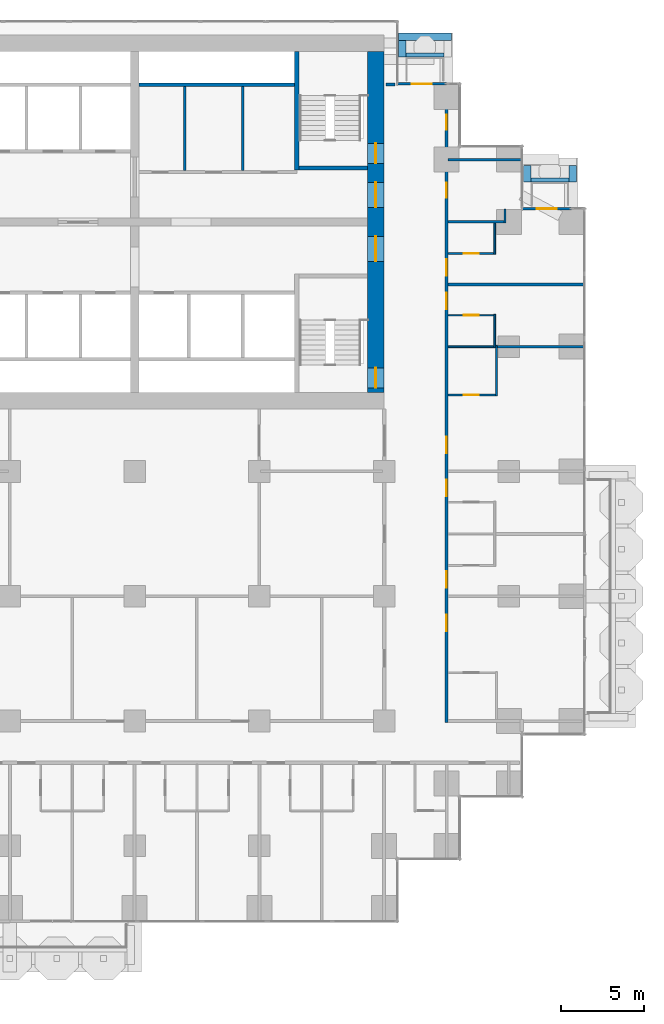
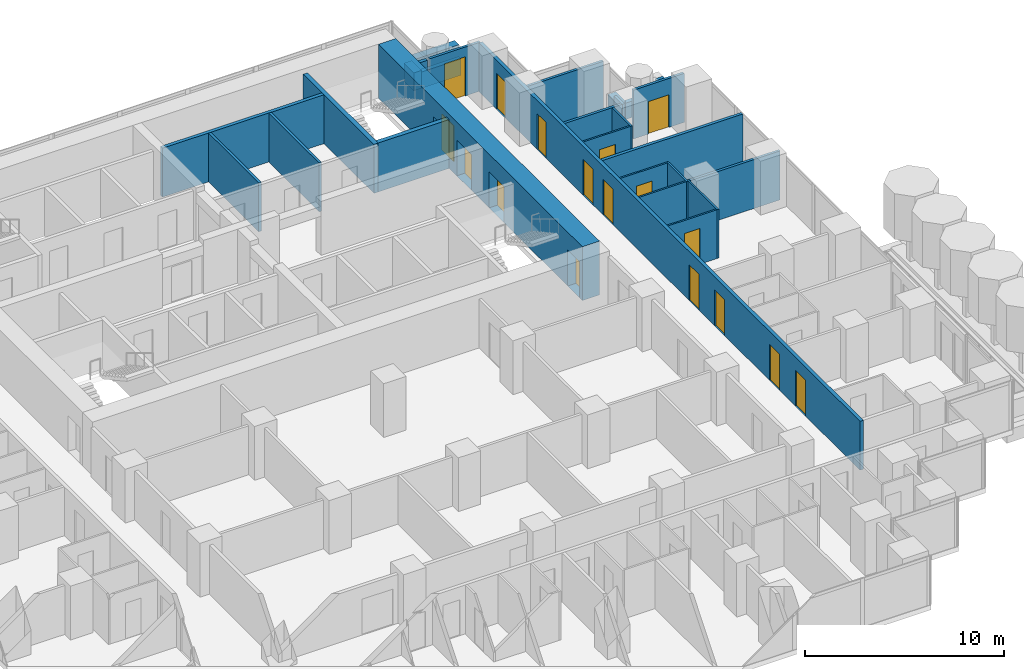
# One storey, part 15 of 19: 28 walls, 17 doors, 17 openings.
"""IFC4 building model written with IfcOpenShell, lengths in metres."""

from ifc_helpers import new_model, si_unit, direction, frame, frame_2d, origin, place, context, subcontext, project, spatial, rectangle, extrude, material, layer, layer_set, type_object, element, fill, save


model = new_model("IFC4")

# Units and contexts
model_context = context("Model", 3, precision=1e-05, world=origin(), true_north=direction((0.0, 1.0)))
body_context = subcontext(model_context, "Body", "Model", "MODEL_VIEW")
ifc_project = project(units=[si_unit("LENGTHUNIT", "METRE"), si_unit("AREAUNIT", "SQUARE_METRE"), si_unit("VOLUMEUNIT", "CUBIC_METRE"), si_unit("PLANEANGLEUNIT", "RADIAN"), si_unit("MASSUNIT", "GRAM", prefix="KILO")], contexts=[model_context])

# Site, building, storey
site_placement = place(None, origin())
site = spatial("IfcSite", under=ifc_project, at=site_placement, CompositionType="ELEMENT")
building_placement = place(site_placement, origin())
building = spatial("IfcBuilding", under=site, at=building_placement, Name="Pilkhan Gate Tower", CompositionType="ELEMENT")
storey_placement = place(building_placement, frame((0.0, 0.0, 69.199951171875)))
storey = spatial("IfcBuildingStorey", under=building, at=storey_placement, Name="L15", CompositionType="ELEMENT", Elevation=69.199951171875)

# Walls
ifc_material_1 = material(Name="Dense blockwork", Category="masonry")
ifc_layer_1 = layer(ifc_material_1, 0.175048828125)
ifc_layer_set_1 = layer_set([ifc_layer_1], Name="Acoustic party wall PW175")
wall_type_1 = type_object("IfcWallType", Name="Acoustic party wall PW175", PredefinedType="PARTITIONING", material=ifc_layer_set_1)
wall_1_placement = place(storey_placement, frame((93.85009765625, 78.75, 0.0), z_axis=(0.0, 0.0, 1.0), x_axis=(1.0, 0.0, 0.0)))
element("IfcWall", 1, at=wall_1_placement, inside=storey, type_object=wall_type_1, Name="Partition L15", PredefinedType="PARTITIONING", context=body_context, shape_type="SweptSolid", body=[
    extrude(rectangle(XDim=8.164794921875, YDim=0.175048828125, at=frame_2d((4.08251953125, 0.0))), origin(), (0.0, 0.0, 1.0), 3.0),
])
ifc_material_2 = material(Name="Concrete C40/50", Category="concrete")
ifc_layer_2 = layer(ifc_material_2, 0.25)
ifc_layer_set_2 = layer_set([ifc_layer_2], Name="Balcony planter BP250")
wall_type_2 = type_object("IfcWallType", Name="Balcony planter BP250", PredefinedType="USERDEFINED", material=ifc_layer_set_2)
wall_2_placement = place(storey_placement, frame((91.300048828125, 92.52490234375, 0.0), z_axis=(0.0, 0.0, 1.0), x_axis=(1.0, 0.0, 0.0)))
element("IfcWall", 2, at=wall_2_placement, inside=storey, type_object=wall_type_2, Name="Balcony planter L15 N", ObjectType="BALCONY PLANTER", PredefinedType="USERDEFINED", context=body_context, shape_type="SweptSolid", body=[
    extrude(rectangle(XDim=2.300048828125, YDim=0.25, at=frame_2d((1.14990234375, 0.0))), origin(), (0.0, 0.0, 1.0), 1.0),
])
wall_3_placement = place(storey_placement, frame((98.820068359375, 85.02490234375, 0.0), z_axis=(0.0, 0.0, 1.0), x_axis=(1.0, 0.0, 0.0)))
element("IfcWall", 3, at=wall_3_placement, inside=storey, type_object=wall_type_2, Name="Balcony planter L15 N", ObjectType="BALCONY PLANTER", PredefinedType="USERDEFINED", context=body_context, shape_type="SweptSolid", body=[
    extrude(rectangle(XDim=2.280029296875, YDim=0.25, at=frame_2d((1.14013671875, 0.0))), origin(), (0.0, 0.0, 1.0), 1.0),
])
ifc_material_3 = material(Name="Board-marked Concrete C40/50", Category="concrete")
ifc_layer_3 = layer(ifc_material_3, 0.449951171875)
ifc_layer_set_3 = layer_set([ifc_layer_3], Name="Balcony planter lip BL450")
wall_type_3 = type_object("IfcWallType", Name="Balcony planter lip BL450", PredefinedType="USERDEFINED", material=ifc_layer_set_3)
wall_4_placement = place(storey_placement, frame((90.85009765625, 93.625, 0.0), z_axis=(0.0, 0.0, 1.0), x_axis=(1.0, 0.0, 0.0)))
element("IfcWall", 4, at=wall_4_placement, inside=storey, type_object=wall_type_3, Name="Balcony planter L15 N", ObjectType="BALCONY PLANTER", PredefinedType="USERDEFINED", context=body_context, shape_type="SweptSolid", body=[
    extrude(rectangle(XDim=3.199951171875, YDim=0.449951171875, at=frame_2d((1.60009765625, 0.0))), origin(), (0.0, 0.0, 1.0), 1.10009765625),
])
for number, where, z_axis, x_axis, name in (
    (5, (91.074951171875, 92.39990234375, 0.0), (0.0, 0.0, 1.0), (0.0, 1.0, 0.0), "Balcony planter L15 N"),
    (6, (98.594970703125, 84.89990234375, 0.0), (0.0, 0.0, 1.0), (0.0, 1.0, 0.0), "Balcony planter L15 N"),
    (7, (101.324951171875, 84.89990234375, 0.0), (0.0, 0.0, 1.0), (0.0, 1.0, 0.0), "Balcony planter L15 N"),
):
    element("IfcWall", number, at=place(storey_placement, frame(where, z_axis=z_axis, x_axis=x_axis)), inside=storey, type_object=wall_type_3, Name=name, ObjectType="BALCONY PLANTER", PredefinedType="USERDEFINED", context=body_context, shape_type="SweptSolid", body=[
        extrude(rectangle(XDim=1.0, YDim=0.449951171875, at=frame_2d((0.5, 0.0))), origin(), (0.0, 0.0, 1.0), 1.10009765625),
    ])

# Wall, openings, doors
ifc_material_4 = material(Name="Concrete C70/85", Category="concrete")
ifc_layer_4 = layer(ifc_material_4, 1.0)
ifc_layer_set_4 = layer_set([ifc_layer_4], Name="Core wall CW1000 C70/85")
wall_type_4 = type_object("IfcWallType", Name="Core wall CW1000 C70/85", PredefinedType="SHEAR", material=ifc_layer_set_4)
wall_5_placement = place(storey_placement, frame((89.5, 72.25, 0.0), z_axis=(0.0, 0.0, 1.0), x_axis=(0.0, 1.0, 0.0)))
wall_5 = element("IfcWall", 8, at=wall_5_placement, inside=storey, type_object=wall_type_4, Name="Core wall E L15", PredefinedType="SHEAR", context=body_context, shape_type="SweptSolid", body=[
    extrude(rectangle(XDim=20.5, YDim=1.0, at=frame_2d((10.25, 0.0))), origin(), (0.0, 0.0, 1.0), 3.300048828125),
])
opening_1_placement = place(wall_5_placement, frame((0.27490234375, 0.0, 0.0)))
opening_1 = element("IfcOpeningElement", 9, at=opening_1_placement, cuts=wall_5, Name="Opening L15-03", PredefinedType="OPENING", context=body_context, shape_type="SweptSolid", body=[
    extrude(rectangle(XDim=1.199951171875, YDim=2.199951171875, at=frame_2d((0.60009765625, 1.10009765625))), frame((0.0, 0.510009765625, 0.0), z_axis=(0.0, -1.0, 0.0), x_axis=(1.0, 0.0, 0.0)), (0.0, 0.0, 1.0), 1.02001953125),
])
opening_2_placement = place(wall_5_placement, frame((13.77490234375, 0.0, 0.0)))
opening_2 = element("IfcOpeningElement", 10, at=opening_2_placement, cuts=wall_5, Name="Opening L15-05", PredefinedType="OPENING", context=body_context, shape_type="SweptSolid", body=[
    extrude(rectangle(XDim=1.199951171875, YDim=2.199951171875, at=frame_2d((0.60009765625, 1.10009765625))), frame((0.0, 0.510009765625, 0.0), z_axis=(0.0, -1.0, 0.0), x_axis=(1.0, 0.0, 0.0)), (0.0, 0.0, 1.0), 1.02001953125),
])
opening_3_placement = place(wall_5_placement, frame((7.875, 0.0, 0.0)))
opening_3 = element("IfcOpeningElement", 11, at=opening_3_placement, cuts=wall_5, Name="Opening L15-50", PredefinedType="OPENING", context=body_context, shape_type="SweptSolid", body=[
    extrude(rectangle(XDim=1.5, YDim=2.199951171875, at=frame_2d((0.75, 1.10009765625))), frame((0.0, 0.510009765625, 0.0), z_axis=(0.0, -1.0, 0.0), x_axis=(1.0, 0.0, 0.0)), (0.0, 0.0, 1.0), 1.02001953125),
])
opening_4_placement = place(wall_5_placement, frame((11.125, 0.0, 0.0)))
opening_4 = element("IfcOpeningElement", 12, at=opening_4_placement, cuts=wall_5, Name="Opening L15-52", PredefinedType="OPENING", context=body_context, shape_type="SweptSolid", body=[
    extrude(rectangle(XDim=1.5, YDim=2.199951171875, at=frame_2d((0.75, 1.10009765625))), frame((0.0, 0.510009765625, 0.0), z_axis=(0.0, -1.0, 0.0), x_axis=(1.0, 0.0, 0.0)), (0.0, 0.0, 1.0), 1.02001953125),
])
ifc_material_5 = material(Name="Steel framed glazed door, 60 minute fire resisting", Category="steel")
door_type_1 = type_object("IfcDoorType", Name="Lobby door D09 1500x2200", OperationType="DOUBLE_DOOR_SINGLE_SWING", PredefinedType="DOOR", material=ifc_material_5)
door_1_placement = place(opening_3_placement, origin())
door_1 = element("IfcDoor", 13, at=door_1_placement, inside=storey, type_object=door_type_1, Name="Core door", OperationType="DOUBLE_DOOR_SINGLE_SWING", OverallHeight=2.199951171875, OverallWidth=1.5, PredefinedType="DOOR", context=body_context, shape_type="SweptSolid", body=[
    extrude(rectangle(XDim=1.5, YDim=2.199951171875, at=frame_2d((0.75, 1.10009765625))), frame((0.0, 0.02490234375, 0.0), z_axis=(0.0, -1.0, 0.0), x_axis=(1.0, 0.0, 0.0)), (0.0, 0.0, 1.0), 0.050048828125),
])
fill(opening_3, door_1)
door_2_placement = place(opening_4_placement, origin())
door_2 = element("IfcDoor", 14, at=door_2_placement, inside=storey, type_object=door_type_1, Name="Core door", OperationType="DOUBLE_DOOR_SINGLE_SWING", OverallHeight=2.199951171875, OverallWidth=1.5, PredefinedType="DOOR", context=body_context, shape_type="SweptSolid", body=[
    extrude(rectangle(XDim=1.5, YDim=2.199951171875, at=frame_2d((0.75, 1.10009765625))), frame((0.0, 0.02490234375, 0.0), z_axis=(0.0, -1.0, 0.0), x_axis=(1.0, 0.0, 0.0)), (0.0, 0.0, 1.0), 0.050048828125),
])
fill(opening_4, door_2)
ifc_material_6 = material(Name="Steel door, 120 minute fire resisting, panic bar", Category="steel")
door_type_2 = type_object("IfcDoorType", Name="Stair door D11 1200x2200", OperationType="SINGLE_SWING_LEFT", PredefinedType="DOOR", material=ifc_material_6)
door_3_placement = place(opening_1_placement, origin())
door_3 = element("IfcDoor", 15, at=door_3_placement, inside=storey, type_object=door_type_2, Name="Stair ST1 door", OperationType="SINGLE_SWING_LEFT", OverallHeight=2.199951171875, OverallWidth=1.199951171875, PredefinedType="DOOR", context=body_context, shape_type="SweptSolid", body=[
    extrude(rectangle(XDim=1.199951171875, YDim=2.199951171875, at=frame_2d((0.60009765625, 1.10009765625))), frame((0.0, 0.02490234375, 0.0), z_axis=(0.0, -1.0, 0.0), x_axis=(1.0, 0.0, 0.0)), (0.0, 0.0, 1.0), 0.050048828125),
])
fill(opening_1, door_3)
door_4_placement = place(opening_2_placement, origin())
door_4 = element("IfcDoor", 16, at=door_4_placement, inside=storey, type_object=door_type_2, Name="Stair ST4 door", OperationType="SINGLE_SWING_RIGHT", OverallHeight=2.199951171875, OverallWidth=1.199951171875, PredefinedType="DOOR", context=body_context, shape_type="SweptSolid", body=[
    extrude(rectangle(XDim=1.199951171875, YDim=2.199951171875, at=frame_2d((0.60009765625, 1.10009765625))), frame((0.0, 0.02490234375, 0.0), z_axis=(0.0, -1.0, 0.0), x_axis=(1.0, 0.0, 0.0)), (0.0, 0.0, 1.0), 0.050048828125),
])
fill(opening_2, door_4)

# Wall
ifc_layer_5 = layer(ifc_material_1, 0.199951171875)
ifc_layer_set_5 = layer_set([ifc_layer_5], Name="Corridor wall FW200")
wall_type_5 = type_object("IfcWallType", Name="Corridor wall FW200", PredefinedType="PARTITIONING", material=ifc_layer_set_5)
wall_6_placement = place(storey_placement, frame((90.1201171875, 90.764892578125, 0.0), z_axis=(0.0, 0.0, 1.0), x_axis=(1.0, 0.0, 0.0)))
element("IfcWall", 17, at=wall_6_placement, inside=storey, type_object=wall_type_5, Name="Partition L15", PredefinedType="PARTITIONING", context=body_context, shape_type="SweptSolid", body=[
    extrude(rectangle(XDim=0.52490234375, YDim=0.199951171875, at=frame_2d((0.262451171875, 0.0))), origin(), (0.0, 0.0, 1.0), 3.0),
])

# Wall, openings, doors
wall_7_placement = place(storey_placement, frame((93.75, 52.39990234375, 0.0), z_axis=(0.0, 0.0, 1.0), x_axis=(0.0, 1.0, 0.0)))
wall_7 = element("IfcWall", 18, at=wall_7_placement, inside=storey, type_object=wall_type_5, Name="Partition L15", PredefinedType="PARTITIONING", context=body_context, shape_type="SweptSolid", body=[
    extrude(rectangle(XDim=38.31005859375, YDim=0.199951171875, at=frame_2d((19.155029296875, 0.0))), origin(), (0.0, 0.0, 1.0), 3.0),
])
opening_5_placement = place(wall_7_placement, frame((5.5, 0.0, 0.0)))
opening_5 = element("IfcOpeningElement", 19, at=opening_5_placement, cuts=wall_7, Name="Opening L15-38", PredefinedType="OPENING", context=body_context, shape_type="SweptSolid", body=[
    extrude(rectangle(XDim=1.0, YDim=2.199951171875, at=frame_2d((0.5, 1.10009765625))), frame((0.0, 0.10986328125, 0.0), z_axis=(0.0, -1.0, 0.0), x_axis=(1.0, 0.0, 0.0)), (0.0, 0.0, 1.0), 0.219970703125),
])
opening_6_placement = place(wall_7_placement, frame((8.10009765625, 0.0, 0.0)))
opening_6 = element("IfcOpeningElement", 20, at=opening_6_placement, cuts=wall_7, Name="Opening L15-40", PredefinedType="OPENING", context=body_context, shape_type="SweptSolid", body=[
    extrude(rectangle(XDim=1.0, YDim=2.199951171875, at=frame_2d((0.5, 1.10009765625))), frame((0.0, 0.10986328125, 0.0), z_axis=(0.0, -1.0, 0.0), x_axis=(1.0, 0.0, 0.0)), (0.0, 0.0, 1.0), 0.219970703125),
])
opening_7_placement = place(wall_7_placement, frame((13.60009765625, 0.0, 0.0)))
opening_7 = element("IfcOpeningElement", 21, at=opening_7_placement, cuts=wall_7, Name="Opening L15-42", PredefinedType="OPENING", context=body_context, shape_type="SweptSolid", body=[
    extrude(rectangle(XDim=1.0, YDim=2.199951171875, at=frame_2d((0.5, 1.10009765625))), frame((0.0, 0.10986328125, 0.0), z_axis=(0.0, -1.0, 0.0), x_axis=(1.0, 0.0, 0.0)), (0.0, 0.0, 1.0), 0.219970703125),
])
opening_8_placement = place(wall_7_placement, frame((16.199951171875, 0.0, 0.0)))
opening_8 = element("IfcOpeningElement", 22, at=opening_8_placement, cuts=wall_7, Name="Opening L15-44", PredefinedType="OPENING", context=body_context, shape_type="SweptSolid", body=[
    extrude(rectangle(XDim=1.0, YDim=2.199951171875, at=frame_2d((0.5, 1.10009765625))), frame((0.0, 0.10986328125, 0.0), z_axis=(0.0, -1.0, 0.0), x_axis=(1.0, 0.0, 0.0)), (0.0, 0.0, 1.0), 0.219970703125),
])
opening_9_placement = place(wall_7_placement, frame((24.85009765625, 0.0, 0.0)))
opening_9 = element("IfcOpeningElement", 23, at=opening_9_placement, cuts=wall_7, Name="Opening L15-46", PredefinedType="OPENING", context=body_context, shape_type="SweptSolid", body=[
    extrude(rectangle(XDim=1.0, YDim=2.199951171875, at=frame_2d((0.5, 1.10009765625))), frame((0.0, 0.10986328125, 0.0), z_axis=(0.0, -1.0, 0.0), x_axis=(1.0, 0.0, 0.0)), (0.0, 0.0, 1.0), 0.219970703125),
])
opening_10_placement = place(wall_7_placement, frame((26.85009765625, 0.0, 0.0)))
opening_10 = element("IfcOpeningElement", 24, at=opening_10_placement, cuts=wall_7, Name="Opening L15-48", PredefinedType="OPENING", context=body_context, shape_type="SweptSolid", body=[
    extrude(rectangle(XDim=1.0, YDim=2.199951171875, at=frame_2d((0.5, 1.10009765625))), frame((0.0, 0.10986328125, 0.0), z_axis=(0.0, -1.0, 0.0), x_axis=(1.0, 0.0, 0.0)), (0.0, 0.0, 1.0), 0.219970703125),
])
opening_11_placement = place(wall_7_placement, frame((31.550048828125, 0.0, 0.0)))
opening_11 = element("IfcOpeningElement", 25, at=opening_11_placement, cuts=wall_7, Name="Opening L15-60", PredefinedType="OPENING", context=body_context, shape_type="SweptSolid", body=[
    extrude(rectangle(XDim=0.89990234375, YDim=2.199951171875, at=frame_2d((0.449951171875, 1.10009765625))), frame((0.0, 0.10986328125, 0.0), z_axis=(0.0, -1.0, 0.0), x_axis=(1.0, 0.0, 0.0)), (0.0, 0.0, 1.0), 0.219970703125),
])
opening_12_placement = place(wall_7_placement, frame((35.64990234375, 0.0, 0.0)))
opening_12 = element("IfcOpeningElement", 26, at=opening_12_placement, cuts=wall_7, Name="Opening L15-61", PredefinedType="OPENING", context=body_context, shape_type="SweptSolid", body=[
    extrude(rectangle(XDim=0.89990234375, YDim=2.199951171875, at=frame_2d((0.449951171875, 1.10009765625))), frame((0.0, 0.10986328125, 0.0), z_axis=(0.0, -1.0, 0.0), x_axis=(1.0, 0.0, 0.0)), (0.0, 0.0, 1.0), 0.219970703125),
])
ifc_material_7 = material(Name="Timber flush door, 30 minute fire resisting", Category="wood")
door_type_3 = type_object("IfcDoorType", Name="Guest room door D01 1000x2200", OperationType="SINGLE_SWING_LEFT", PredefinedType="DOOR", material=ifc_material_7)
door_5_placement = place(opening_5_placement, origin())
door_5 = element("IfcDoor", 27, at=door_5_placement, inside=storey, type_object=door_type_3, Name="Guest room door", OperationType="SINGLE_SWING_RIGHT", OverallHeight=2.199951171875, OverallWidth=1.0, PredefinedType="DOOR", context=body_context, shape_type="SweptSolid", body=[
    extrude(rectangle(XDim=1.0, YDim=2.199951171875, at=frame_2d((0.5, 1.10009765625))), frame((0.0, 0.02490234375, 0.0), z_axis=(0.0, -1.0, 0.0), x_axis=(1.0, 0.0, 0.0)), (0.0, 0.0, 1.0), 0.050048828125),
])
fill(opening_5, door_5)
door_6_placement = place(opening_6_placement, origin())
door_6 = element("IfcDoor", 28, at=door_6_placement, inside=storey, type_object=door_type_3, Name="Guest room door", OperationType="SINGLE_SWING_LEFT", OverallHeight=2.199951171875, OverallWidth=1.0, PredefinedType="DOOR", context=body_context, shape_type="SweptSolid", body=[
    extrude(rectangle(XDim=1.0, YDim=2.199951171875, at=frame_2d((0.5, 1.10009765625))), frame((0.0, 0.02490234375, 0.0), z_axis=(0.0, -1.0, 0.0), x_axis=(1.0, 0.0, 0.0)), (0.0, 0.0, 1.0), 0.050048828125),
])
fill(opening_6, door_6)
door_7_placement = place(opening_7_placement, origin())
door_7 = element("IfcDoor", 29, at=door_7_placement, inside=storey, type_object=door_type_3, Name="Guest room door", OperationType="SINGLE_SWING_LEFT", OverallHeight=2.199951171875, OverallWidth=1.0, PredefinedType="DOOR", context=body_context, shape_type="SweptSolid", body=[
    extrude(rectangle(XDim=1.0, YDim=2.199951171875, at=frame_2d((0.5, 1.10009765625))), frame((0.0, 0.02490234375, 0.0), z_axis=(0.0, -1.0, 0.0), x_axis=(1.0, 0.0, 0.0)), (0.0, 0.0, 1.0), 0.050048828125),
])
fill(opening_7, door_7)
door_8_placement = place(opening_8_placement, origin())
door_8 = element("IfcDoor", 30, at=door_8_placement, inside=storey, type_object=door_type_3, Name="Guest room door", OperationType="SINGLE_SWING_LEFT", OverallHeight=2.199951171875, OverallWidth=1.0, PredefinedType="DOOR", context=body_context, shape_type="SweptSolid", body=[
    extrude(rectangle(XDim=1.0, YDim=2.199951171875, at=frame_2d((0.5, 1.10009765625))), frame((0.0, 0.02490234375, 0.0), z_axis=(0.0, -1.0, 0.0), x_axis=(1.0, 0.0, 0.0)), (0.0, 0.0, 1.0), 0.050048828125),
])
fill(opening_8, door_8)
door_9_placement = place(opening_9_placement, origin())
door_9 = element("IfcDoor", 31, at=door_9_placement, inside=storey, type_object=door_type_3, Name="Guest room door", OperationType="SINGLE_SWING_LEFT", OverallHeight=2.199951171875, OverallWidth=1.0, PredefinedType="DOOR", context=body_context, shape_type="SweptSolid", body=[
    extrude(rectangle(XDim=1.0, YDim=2.199951171875, at=frame_2d((0.5, 1.10009765625))), frame((0.0, 0.02490234375, 0.0), z_axis=(0.0, -1.0, 0.0), x_axis=(1.0, 0.0, 0.0)), (0.0, 0.0, 1.0), 0.050048828125),
])
fill(opening_9, door_9)
door_10_placement = place(opening_10_placement, origin())
door_10 = element("IfcDoor", 32, at=door_10_placement, inside=storey, type_object=door_type_3, Name="Guest room door", OperationType="SINGLE_SWING_LEFT", OverallHeight=2.199951171875, OverallWidth=1.0, PredefinedType="DOOR", context=body_context, shape_type="SweptSolid", body=[
    extrude(rectangle(XDim=1.0, YDim=2.199951171875, at=frame_2d((0.5, 1.10009765625))), frame((0.0, 0.02490234375, 0.0), z_axis=(0.0, -1.0, 0.0), x_axis=(1.0, 0.0, 0.0)), (0.0, 0.0, 1.0), 0.050048828125),
])
fill(opening_10, door_10)
ifc_material_8 = material(Name="Timber flush door, 60 minute fire resisting, self-closing", Category="wood")
door_type_4 = type_object("IfcDoorType", Name="Store door D05 900x2200", OperationType="SINGLE_SWING_LEFT", PredefinedType="DOOR", material=ifc_material_8)
door_11_placement = place(opening_11_placement, origin())
door_11 = element("IfcDoor", 33, at=door_11_placement, inside=storey, type_object=door_type_4, Name="Store door", OperationType="SINGLE_SWING_LEFT", OverallHeight=2.199951171875, OverallWidth=0.89990234375, PredefinedType="DOOR", context=body_context, shape_type="SweptSolid", body=[
    extrude(rectangle(XDim=0.89990234375, YDim=2.199951171875, at=frame_2d((0.449951171875, 1.10009765625))), frame((0.0, 0.02490234375, 0.0), z_axis=(0.0, -1.0, 0.0), x_axis=(1.0, 0.0, 0.0)), (0.0, 0.0, 1.0), 0.050048828125),
])
fill(opening_11, door_11)
door_12_placement = place(opening_12_placement, origin())
door_12 = element("IfcDoor", 34, at=door_12_placement, inside=storey, type_object=door_type_4, Name="Store door", OperationType="SINGLE_SWING_RIGHT", OverallHeight=2.199951171875, OverallWidth=0.89990234375, PredefinedType="DOOR", context=body_context, shape_type="SweptSolid", body=[
    extrude(rectangle(XDim=0.89990234375, YDim=2.199951171875, at=frame_2d((0.449951171875, 1.10009765625))), frame((0.0, 0.02490234375, 0.0), z_axis=(0.0, -1.0, 0.0), x_axis=(1.0, 0.0, 0.0)), (0.0, 0.0, 1.0), 0.050048828125),
])
fill(opening_12, door_12)

# Wall, opening, door
ifc_material_9 = material(Name="Pale anodised aluminium, clear laminated glazing", Category="aluminium")
ifc_layer_6 = layer(ifc_material_9, 0.14990234375)
ifc_layer_set_6 = layer_set([ifc_layer_6], Name="Facade infill wall IW150")
wall_type_6 = type_object("IfcWallType", Name="Facade infill wall IW150", PredefinedType="SOLIDWALL", material=ifc_layer_set_6)
wall_8_placement = place(storey_placement, frame((98.294921875, 83.294921875, 0.0), z_axis=(0.0, 0.0, 1.0), x_axis=(1.0, 0.0, 0.0)))
wall_8 = element("IfcWall", 35, at=wall_8_placement, inside=storey, type_object=wall_type_6, Name="Infill wall L15 N", PredefinedType="SOLIDWALL", context=body_context, shape_type="SweptSolid", body=[
    extrude(rectangle(XDim=2.955078125, YDim=0.14990234375, at=frame_2d((1.4775390625, 0.0))), origin(), (0.0, 0.0, 1.0), 3.0),
])
opening_13_placement = place(wall_8_placement, frame((0.87744140625, 0.0, 0.0)))
opening_13 = element("IfcOpeningElement", 36, at=opening_13_placement, cuts=wall_8, Name="Opening D1L", PredefinedType="OPENING", context=body_context, shape_type="SweptSolid", body=[
    extrude(rectangle(XDim=1.199951171875, YDim=2.0, at=frame_2d((0.60009765625, 1.0))), frame((0.0, 0.0849609375, 0.0), z_axis=(0.0, -1.0, 0.0), x_axis=(1.0, 0.0, 0.0)), (0.0, 0.0, 1.0), 0.169921875),
])
ifc_material_10 = material(Name="Pale anodised aluminium, clear glazing", Category="aluminium")
door_type_5 = type_object("IfcDoorType", Name="Balcony door D1L 1200x2000", OperationType="SINGLE_SWING_LEFT", PredefinedType="DOOR", material=ifc_material_10)
door_13_placement = place(opening_13_placement, origin())
door_13 = element("IfcDoor", 37, at=door_13_placement, inside=storey, type_object=door_type_5, Name="Balcony door L15", OperationType="SINGLE_SWING_LEFT", OverallHeight=2.0, OverallWidth=1.199951171875, PredefinedType="DOOR", context=body_context, shape_type="SweptSolid", body=[
    extrude(rectangle(XDim=1.199951171875, YDim=2.0, at=frame_2d((0.60009765625, 1.0))), frame((0.0, 0.02490234375, 0.0), z_axis=(0.0, -1.0, 0.0), x_axis=(1.0, 0.0, 0.0)), (0.0, 0.0, 1.0), 0.050048828125),
])
fill(opening_13, door_13)

wall_9_placement = place(storey_placement, frame((90.794921875, 90.794921875, 0.0), z_axis=(0.0, 0.0, 1.0), x_axis=(1.0, 0.0, 0.0)))
wall_9 = element("IfcWall", 38, at=wall_9_placement, inside=storey, type_object=wall_type_6, Name="Infill wall L15 N", PredefinedType="SOLIDWALL", context=body_context, shape_type="SweptSolid", body=[
    extrude(rectangle(XDim=2.955078125, YDim=0.14990234375, at=frame_2d((1.4775390625, 0.0))), origin(), (0.0, 0.0, 1.0), 3.0),
])
opening_14_placement = place(wall_9_placement, frame((0.87744140625, 0.0, 0.0)))
opening_14 = element("IfcOpeningElement", 39, at=opening_14_placement, cuts=wall_9, Name="Opening D1", PredefinedType="OPENING", context=body_context, shape_type="SweptSolid", body=[
    extrude(rectangle(XDim=1.199951171875, YDim=2.39990234375, at=frame_2d((0.60009765625, 1.199951171875))), frame((0.0, 0.0849609375, 0.0), z_axis=(0.0, -1.0, 0.0), x_axis=(1.0, 0.0, 0.0)), (0.0, 0.0, 1.0), 0.169921875),
])
door_type_6 = type_object("IfcDoorType", Name="Balcony door D1 1200x2400", OperationType="SINGLE_SWING_LEFT", PredefinedType="DOOR", material=ifc_material_10)
door_14_placement = place(opening_14_placement, origin())
door_14 = element("IfcDoor", 40, at=door_14_placement, inside=storey, type_object=door_type_6, Name="Balcony door L15", OperationType="SINGLE_SWING_LEFT", OverallHeight=2.39990234375, OverallWidth=1.199951171875, PredefinedType="DOOR", context=body_context, shape_type="SweptSolid", body=[
    extrude(rectangle(XDim=1.199951171875, YDim=2.39990234375, at=frame_2d((0.60009765625, 1.199951171875))), frame((0.0, 0.02490234375, 0.0), z_axis=(0.0, -1.0, 0.0), x_axis=(1.0, 0.0, 0.0)), (0.0, 0.0, 1.0), 0.050048828125),
])
fill(opening_14, door_14)

# Walls
ifc_layer_7 = layer(ifc_material_1, 0.199951171875)
ifc_layer_set_7 = layer_set([ifc_layer_7], Name="Lobby wall LW200")
wall_type_7 = type_object("IfcWallType", Name="Lobby wall LW200", PredefinedType="PARTITIONING", material=ifc_layer_set_7)
wall_10_placement = place(storey_placement, frame((75.260009765625, 90.75, 0.0), z_axis=(0.0, 0.0, 1.0), x_axis=(1.0, 0.0, 0.0)))
element("IfcWall", 41, at=wall_10_placement, inside=storey, type_object=wall_type_7, Name="Partition L15", PredefinedType="PARTITIONING", context=body_context, shape_type="SweptSolid", body=[
    extrude(rectangle(XDim=9.364990234375, YDim=0.199951171875, at=frame_2d((4.6826171875, 0.0))), origin(), (0.0, 0.0, 1.0), 3.0),
])
ifc_material_11 = material(Name="Blockwork partition, plastered both sides", Category="masonry")
ifc_layer_8 = layer(ifc_material_11, 0.14990234375)
ifc_layer_set_8 = layer_set([ifc_layer_8], Name="Partition PW150")
wall_type_8 = type_object("IfcWallType", Name="Partition PW150", PredefinedType="PARTITIONING", material=ifc_layer_set_8)
wall_11_placement = place(storey_placement, frame((96.800048828125, 75.0, 0.0), z_axis=(0.0, 0.0, 1.0), x_axis=(1.0, 0.0, 0.0)))
element("IfcWall", 42, at=wall_11_placement, inside=storey, type_object=wall_type_8, Name="Partition L15", PredefinedType="PARTITIONING", context=body_context, shape_type="SweptSolid", body=[
    extrude(rectangle(XDim=5.21484375, YDim=0.14990234375, at=frame_2d((2.607421875, 0.0))), origin(), (0.0, 0.0, 1.0), 3.0),
])
wall_12_placement = place(storey_placement, frame((93.85009765625, 82.5, 0.0), z_axis=(0.0, 0.0, 1.0), x_axis=(1.0, 0.0, 0.0)))
element("IfcWall", 43, at=wall_12_placement, inside=storey, type_object=wall_type_8, Name="Partition L15", PredefinedType="PARTITIONING", context=body_context, shape_type="SweptSolid", body=[
    extrude(rectangle(XDim=3.33984375, YDim=0.14990234375, at=frame_2d((1.669921875, 0.0))), origin(), (0.0, 0.0, 1.0), 3.0),
])
wall_13_placement = place(storey_placement, frame((93.85009765625, 86.25, 0.0), z_axis=(0.0, 0.0, 1.0), x_axis=(1.0, 0.0, 0.0)))
element("IfcWall", 44, at=wall_13_placement, inside=storey, type_object=wall_type_8, Name="Partition L15", PredefinedType="PARTITIONING", context=body_context, shape_type="SweptSolid", body=[
    extrude(rectangle(XDim=4.414794921875, YDim=0.14990234375, at=frame_2d((2.20751953125, 0.0))), origin(), (0.0, 0.0, 1.0), 3.0),
])
for number, where, z_axis, x_axis, name in (
    (45, (78.0, 85.60009765625, 0.0), (0.0, 0.0, 1.0), (0.0, 1.0, 0.0), "Partition L15"),
    (46, (81.5, 85.60009765625, 0.0), (0.0, 0.0, 1.0), (0.0, 1.0, 0.0), "Partition L15"),
):
    element("IfcWall", number, at=place(storey_placement, frame(where, z_axis=z_axis, x_axis=x_axis)), inside=storey, type_object=wall_type_8, Name=name, PredefinedType="PARTITIONING", context=body_context, shape_type="SweptSolid", body=[
        extrude(rectangle(XDim=5.0498046875, YDim=0.14990234375, at=frame_2d((2.52490234375, 0.0))), origin(), (0.0, 0.0, 1.0), 3.0),
    ])
wall_14_placement = place(storey_placement, frame((97.264892578125, 82.425048828125, 0.0), z_axis=(0.0, 0.0, 1.0), x_axis=(0.0, 1.0, 0.0)))
element("IfcWall", 47, at=wall_14_placement, inside=storey, type_object=wall_type_8, Name="Partition L15", PredefinedType="PARTITIONING", context=body_context, shape_type="SweptSolid", body=[
    extrude(rectangle(XDim=0.83984375, YDim=0.14990234375, at=frame_2d((0.419921875, 0.0))), origin(), (0.0, 0.0, 1.0), 3.0),
])
ifc_material_12 = material(Name="Reinforced blockwork, 120 minute fire resisting", Category="masonry")
ifc_layer_9 = layer(ifc_material_12, 0.25)
ifc_layer_set_9 = layer_set([ifc_layer_9], Name="Stair enclosure wall SE250")
wall_type_9 = type_object("IfcWallType", Name="Stair enclosure wall SE250", PredefinedType="PARTITIONING", material=ifc_layer_set_9)
wall_15_placement = place(storey_placement, frame((84.875, 85.75, 0.0), z_axis=(0.0, 0.0, 1.0), x_axis=(1.0, 0.0, 0.0)))
element("IfcWall", 48, at=wall_15_placement, inside=storey, type_object=wall_type_9, Name="Partition L15", PredefinedType="PARTITIONING", context=body_context, shape_type="SweptSolid", body=[
    extrude(rectangle(XDim=4.114990234375, YDim=0.25, at=frame_2d((2.0576171875, 0.0))), origin(), (0.0, 0.0, 1.0), 3.0),
])
wall_16_placement = place(storey_placement, frame((84.75, 85.625, 0.0), z_axis=(0.0, 0.0, 1.0), x_axis=(0.0, 1.0, 0.0)))
element("IfcWall", 49, at=wall_16_placement, inside=storey, type_object=wall_type_9, Name="Partition L15", PredefinedType="PARTITIONING", context=body_context, shape_type="SweptSolid", body=[
    extrude(rectangle(XDim=7.114990234375, YDim=0.25, at=frame_2d((3.5576171875, 0.0))), origin(), (0.0, 0.0, 1.0), 3.0),
])

# Wall, opening, door
ifc_material_13 = material(Name="Moisture resistant board, tiled")
ifc_layer_10 = layer(ifc_material_13, 0.10009765625)
ifc_layer_set_10 = layer_set([ifc_layer_10], Name="Wet wall PW100")
wall_type_10 = type_object("IfcWallType", Name="Wet wall PW100", PredefinedType="PARTITIONING", material=ifc_layer_set_10)
wall_17_placement = place(storey_placement, frame((93.85009765625, 72.10009765625, 0.0), z_axis=(0.0, 0.0, 1.0), x_axis=(1.0, 0.0, 0.0)))
wall_17 = element("IfcWall", 50, at=wall_17_placement, inside=storey, type_object=wall_type_10, Name="Partition L15", PredefinedType="PARTITIONING", context=body_context, shape_type="SweptSolid", body=[
    extrude(rectangle(XDim=2.849853515625, YDim=0.10009765625, at=frame_2d((1.4248046875, 0.0))), origin(), (0.0, 0.0, 1.0), 3.0),
])
opening_15_placement = place(wall_17_placement, frame((0.949951171875, 0.0, 0.0)))
opening_15 = element("IfcOpeningElement", 51, at=opening_15_placement, cuts=wall_17, Name="Opening L15-45", PredefinedType="OPENING", context=body_context, shape_type="SweptSolid", body=[
    extrude(rectangle(XDim=0.89990234375, YDim=2.199951171875, at=frame_2d((0.449951171875, 1.10009765625))), frame((0.0, 0.06005859375, 0.0), z_axis=(0.0, -1.0, 0.0), x_axis=(1.0, 0.0, 0.0)), (0.0, 0.0, 1.0), 0.1201171875),
])
ifc_material_14 = material(Name="Timber flush door", Category="wood")
door_type_7 = type_object("IfcDoorType", Name="Bathroom door D02 900x2200", OperationType="SINGLE_SWING_RIGHT", PredefinedType="DOOR", material=ifc_material_14)
door_15_placement = place(opening_15_placement, origin())
door_15 = element("IfcDoor", 52, at=door_15_placement, inside=storey, type_object=door_type_7, Name="Bathroom door", OperationType="SINGLE_SWING_RIGHT", OverallHeight=2.199951171875, OverallWidth=0.89990234375, PredefinedType="DOOR", context=body_context, shape_type="SweptSolid", body=[
    extrude(rectangle(XDim=0.89990234375, YDim=2.199951171875, at=frame_2d((0.449951171875, 1.10009765625))), frame((0.0, 0.02490234375, 0.0), z_axis=(0.0, -1.0, 0.0), x_axis=(1.0, 0.0, 0.0)), (0.0, 0.0, 1.0), 0.050048828125),
])
fill(opening_15, door_15)

# Wall
wall_18_placement = place(storey_placement, frame((93.85009765625, 75.0, 0.0), z_axis=(0.0, 0.0, 1.0), x_axis=(1.0, 0.0, 0.0)))
element("IfcWall", 53, at=wall_18_placement, inside=storey, type_object=wall_type_10, Name="Partition L15", PredefinedType="PARTITIONING", context=body_context, shape_type="SweptSolid", body=[
    extrude(rectangle(XDim=2.75, YDim=0.10009765625, at=frame_2d((1.375, 0.0))), origin(), (0.0, 0.0, 1.0), 3.0),
])

# Wall, opening, door
wall_19_placement = place(storey_placement, frame((93.85009765625, 76.89990234375, 0.0), z_axis=(0.0, 0.0, 1.0), x_axis=(1.0, 0.0, 0.0)))
wall_19 = element("IfcWall", 54, at=wall_19_placement, inside=storey, type_object=wall_type_10, Name="Partition L15", PredefinedType="PARTITIONING", context=body_context, shape_type="SweptSolid", body=[
    extrude(rectangle(XDim=2.75, YDim=0.10009765625, at=frame_2d((1.375, 0.0))), origin(), (0.0, 0.0, 1.0), 3.0),
])
opening_16_placement = place(wall_19_placement, frame((0.949951171875, 0.0, 0.0)))
opening_16 = element("IfcOpeningElement", 55, at=opening_16_placement, cuts=wall_19, Name="Opening L15-47", PredefinedType="OPENING", context=body_context, shape_type="SweptSolid", body=[
    extrude(rectangle(XDim=0.89990234375, YDim=2.199951171875, at=frame_2d((0.449951171875, 1.10009765625))), frame((0.0, 0.06005859375, 0.0), z_axis=(0.0, -1.0, 0.0), x_axis=(1.0, 0.0, 0.0)), (0.0, 0.0, 1.0), 0.1201171875),
])
door_16_placement = place(opening_16_placement, origin())
door_16 = element("IfcDoor", 56, at=door_16_placement, inside=storey, type_object=door_type_7, Name="Bathroom door", OperationType="SINGLE_SWING_RIGHT", OverallHeight=2.199951171875, OverallWidth=0.89990234375, PredefinedType="DOOR", context=body_context, shape_type="SweptSolid", body=[
    extrude(rectangle(XDim=0.89990234375, YDim=2.199951171875, at=frame_2d((0.449951171875, 1.10009765625))), frame((0.0, 0.02490234375, 0.0), z_axis=(0.0, -1.0, 0.0), x_axis=(1.0, 0.0, 0.0)), (0.0, 0.0, 1.0), 0.050048828125),
])
fill(opening_16, door_16)

wall_20_placement = place(storey_placement, frame((93.85009765625, 80.60009765625, 0.0), z_axis=(0.0, 0.0, 1.0), x_axis=(1.0, 0.0, 0.0)))
wall_20 = element("IfcWall", 57, at=wall_20_placement, inside=storey, type_object=wall_type_10, Name="Partition L15", PredefinedType="PARTITIONING", context=body_context, shape_type="SweptSolid", body=[
    extrude(rectangle(XDim=2.75, YDim=0.10009765625, at=frame_2d((1.375, 0.0))), origin(), (0.0, 0.0, 1.0), 3.0),
])
opening_17_placement = place(wall_20_placement, frame((0.949951171875, 0.0, 0.0)))
opening_17 = element("IfcOpeningElement", 58, at=opening_17_placement, cuts=wall_20, Name="Opening L15-49", PredefinedType="OPENING", context=body_context, shape_type="SweptSolid", body=[
    extrude(rectangle(XDim=0.89990234375, YDim=2.199951171875, at=frame_2d((0.449951171875, 1.10009765625))), frame((0.0, 0.06005859375, 0.0), z_axis=(0.0, -1.0, 0.0), x_axis=(1.0, 0.0, 0.0)), (0.0, 0.0, 1.0), 0.1201171875),
])
door_17_placement = place(opening_17_placement, origin())
door_17 = element("IfcDoor", 59, at=door_17_placement, inside=storey, type_object=door_type_7, Name="Bathroom door", OperationType="SINGLE_SWING_RIGHT", OverallHeight=2.199951171875, OverallWidth=0.89990234375, PredefinedType="DOOR", context=body_context, shape_type="SweptSolid", body=[
    extrude(rectangle(XDim=0.89990234375, YDim=2.199951171875, at=frame_2d((0.449951171875, 1.10009765625))), frame((0.0, 0.02490234375, 0.0), z_axis=(0.0, -1.0, 0.0), x_axis=(1.0, 0.0, 0.0)), (0.0, 0.0, 1.0), 0.050048828125),
])
fill(opening_17, door_17)

# Walls
wall_21_placement = place(storey_placement, frame((96.64990234375, 74.949951171875, 0.0), z_axis=(0.0, 0.0, 1.0), x_axis=(0.0, 1.0, 0.0)))
element("IfcWall", 60, at=wall_21_placement, inside=storey, type_object=wall_type_10, Name="Partition L15", PredefinedType="PARTITIONING", context=body_context, shape_type="SweptSolid", body=[
    extrude(rectangle(XDim=2.0, YDim=0.10009765625, at=frame_2d((1.0, 0.0))), origin(), (0.0, 0.0, 1.0), 3.0),
])
wall_22_placement = place(storey_placement, frame((96.64990234375, 80.550048828125, 0.0), z_axis=(0.0, 0.0, 1.0), x_axis=(0.0, 1.0, 0.0)))
element("IfcWall", 61, at=wall_22_placement, inside=storey, type_object=wall_type_10, Name="Partition L15", PredefinedType="PARTITIONING", context=body_context, shape_type="SweptSolid", body=[
    extrude(rectangle(XDim=1.875, YDim=0.10009765625, at=frame_2d((0.9375, 0.0))), origin(), (0.0, 0.0, 1.0), 3.0),
])
wall_23_placement = place(storey_placement, frame((96.75, 72.050048828125, 0.0), z_axis=(0.0, 0.0, 1.0), x_axis=(0.0, 1.0, 0.0)))
element("IfcWall", 62, at=wall_23_placement, inside=storey, type_object=wall_type_10, Name="Partition L15", PredefinedType="PARTITIONING", context=body_context, shape_type="SweptSolid", body=[
    extrude(rectangle(XDim=3.02490234375, YDim=0.10009765625, at=frame_2d((1.512451171875, 0.0))), origin(), (0.0, 0.0, 1.0), 3.0),
])

save(model, "model.ifc")
